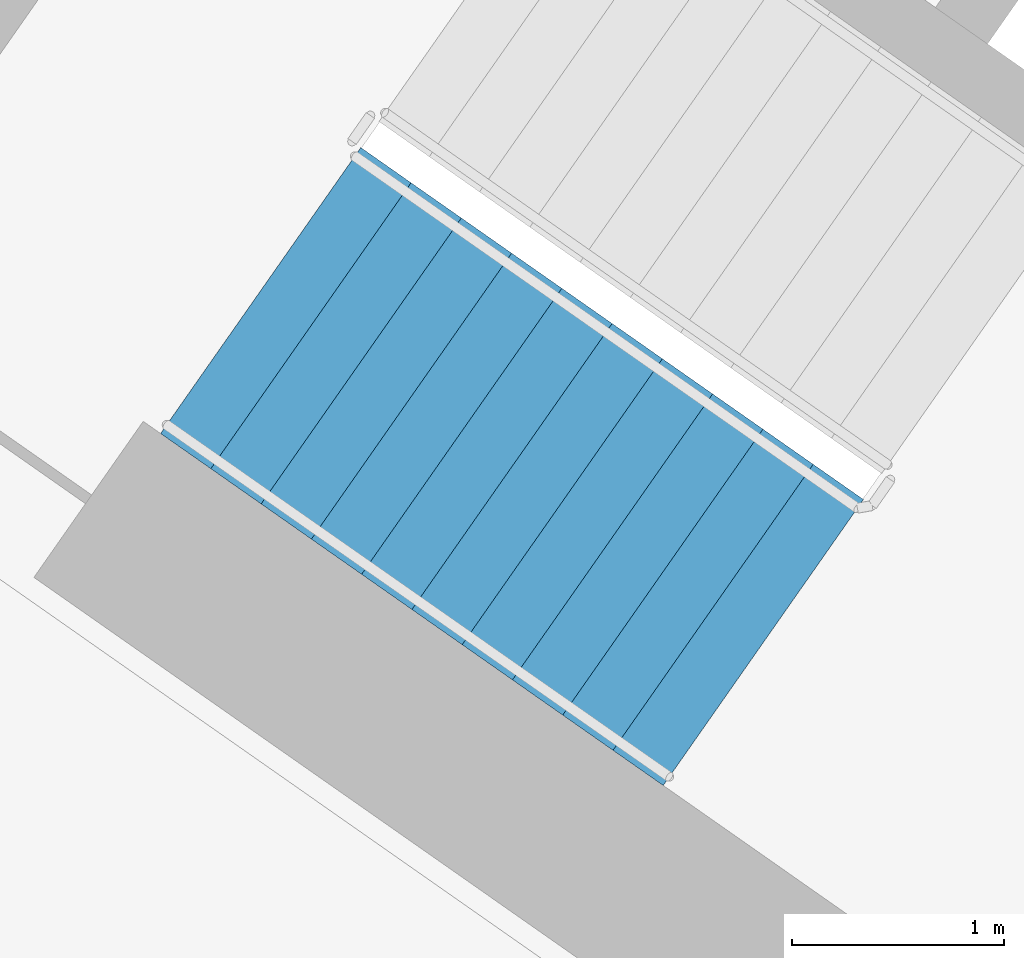
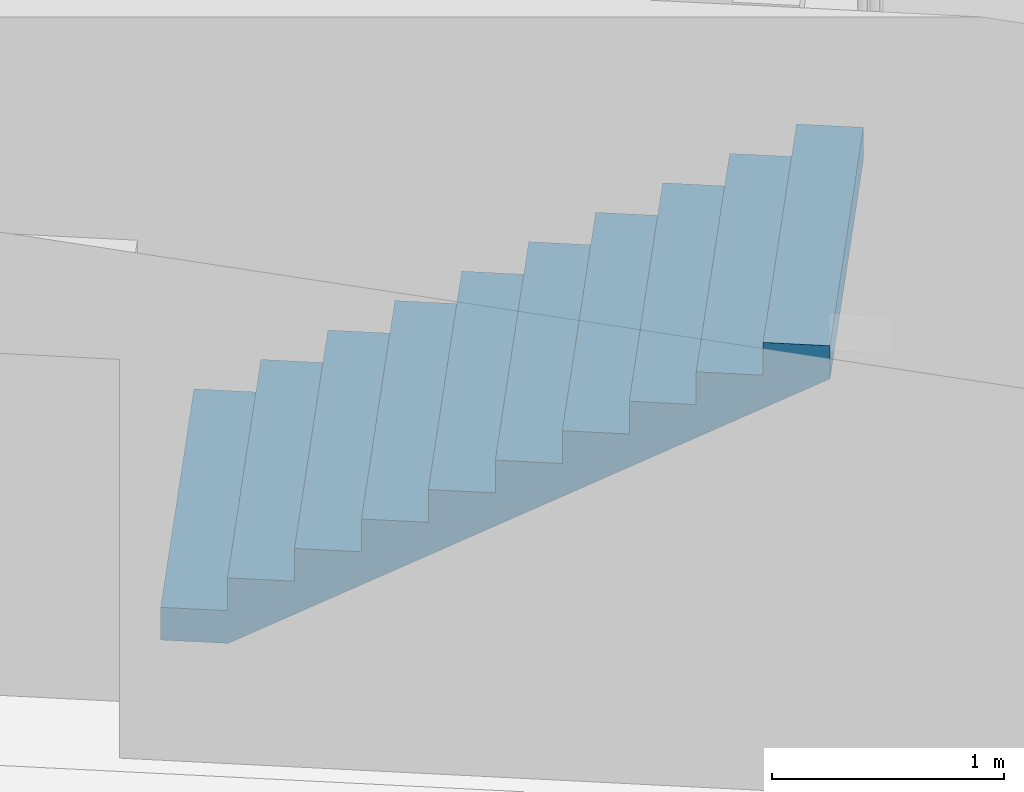
# One storey, part 10 of 29: 1 stair flight, 1 element without a shape of its own.
"""IFC4 building model written with IfcOpenShell, lengths in metres."""

from ifc_helpers import new_model, si_unit, direction, frame, origin, place, context, subcontext, project, spatial, faceted_brep, material, type_object, element, aggregate, save


model = new_model("IFC4")

# Units and contexts
model_context = context("Model", 3, precision=1e-05, world=origin(), true_north=direction((0.0, 1.0)))
body_context = subcontext(model_context, "Body", "Model", "MODEL_VIEW")
ifc_project = project(units=[si_unit("LENGTHUNIT", "METRE"), si_unit("AREAUNIT", "SQUARE_METRE"), si_unit("VOLUMEUNIT", "CUBIC_METRE"), si_unit("PLANEANGLEUNIT", "RADIAN"), si_unit("MASSUNIT", "GRAM", prefix="KILO")], contexts=[model_context])

# Site, building, storey
site_placement = place(None, origin())
site = spatial("IfcSite", under=ifc_project, at=site_placement, CompositionType="ELEMENT")
building_placement = place(site_placement, origin())
building = spatial("IfcBuilding", under=site, at=building_placement, Name="Qamariyya Broadcast Tower", CompositionType="ELEMENT")
storey_placement = place(building_placement, frame((0.0, 0.0, 113.89990234375)))
storey = spatial("IfcBuildingStorey", under=building, at=storey_placement, Name="L25", CompositionType="ELEMENT", Elevation=113.89990234375)

# Stair, stair flight
ifc_material = material(Name="Concrete C50/60", Category="concrete")
stair_type = type_object("IfcStairType", Name="Exit stair 22 risers of 173 mm", PredefinedType="HALF_TURN_STAIR", material=ifc_material)
stair_placement = place(storey_placement, origin())
stair = element("IfcStair", 1, at=stair_placement, inside=storey, type_object=stair_type, Name="L25 Stair W1", PredefinedType="HALF_TURN_STAIR")
stair_flight_type = type_object("IfcStairFlightType", Name="Exit stair flight 11 risers of 173 mm", PredefinedType="STRAIGHT", material=ifc_material)
stair_flight_placement = place(storey_placement, frame((-47.06884765625, -56.982666015625, 0.0), z_axis=(0.0, 0.0, 1.0), x_axis=(0.819152044289, -0.573576436351, 0.0)))
stair_flight = element("IfcStairFlight", 2, at=stair_flight_placement, type_object=stair_flight_type, Name="ST-W1 flight 1", NumberOfRisers=11, NumberOfTreads=10, PredefinedType="STRAIGHT", RiserHeight=0.172727273, TreadLength=0.29, context=body_context, shape_type="Brep", body=[
    faceted_brep([(0.0, 0.824951171875, 0.0), (0.0, 0.824951171875, 0.172607421875), (0.2900390625, 0.824951171875, 0.172607421875), (0.2900390625, 0.824951171875, 0.345458984375), (0.580078125, 0.824951171875, 0.345458984375), (0.580078125, 0.824951171875, 0.51806640625), (0.8701171875, 0.824951171875, 0.51806640625), (0.8701171875, 0.824951171875, 0.69091796875), (1.159912109375, 0.824951171875, 0.69091796875), (1.159912109375, 0.824951171875, 0.863525390625), (1.449951171875, 0.824951171875, 0.863525390625), (1.449951171875, 0.824951171875, 1.036376953125), (1.739990234375, 0.824951171875, 1.036376953125), (1.739990234375, 0.824951171875, 1.208984375), (2.030029296875, 0.824951171875, 1.208984375), (2.030029296875, 0.824951171875, 1.3818359375), (2.320068359375, 0.824951171875, 1.3818359375), (2.320068359375, 0.824951171875, 1.554443359375), (2.610107421875, 0.824951171875, 1.554443359375), (2.610107421875, 0.824951171875, 1.727294921875), (2.89990234375, 0.824951171875, 1.727294921875), (2.89990234375, 0.824951171875, 1.552734375), (0.29296875, 0.824951171875, 0.0), (0.29296875, -0.824951171875, 0.0), (2.89990234375, -0.824951171875, 1.552734375), (2.89990234375, -0.824951171875, 1.727294921875), (2.610107421875, -0.824951171875, 1.727294921875), (2.610107421875, -0.824951171875, 1.554443359375), (2.320068359375, -0.824951171875, 1.554443359375), (2.320068359375, -0.824951171875, 1.3818359375), (2.030029296875, -0.824951171875, 1.3818359375), (2.030029296875, -0.824951171875, 1.208984375), (1.739990234375, -0.824951171875, 1.208984375), (1.739990234375, -0.824951171875, 1.036376953125), (1.449951171875, -0.824951171875, 1.036376953125), (1.449951171875, -0.824951171875, 0.863525390625), (1.159912109375, -0.824951171875, 0.863525390625), (1.159912109375, -0.824951171875, 0.69091796875), (0.8701171875, -0.824951171875, 0.69091796875), (0.8701171875, -0.824951171875, 0.51806640625), (0.580078125, -0.824951171875, 0.51806640625), (0.580078125, -0.824951171875, 0.345458984375), (0.2900390625, -0.824951171875, 0.345458984375), (0.2900390625, -0.824951171875, 0.172607421875), (0.0, -0.824951171875, 0.172607421875), (0.0, -0.824951171875, 0.0), (0.0, 0.10009765625, 0.0), (0.0, 0.086669921875, 0.0), (0.0, 0.0732421875, 0.0), (0.0, 0.06005859375, 0.0), (0.0, 0.046630859375, 0.0), (0.0, 0.033447265625, 0.0), (0.0, 0.02001953125, 0.0), (0.0, 0.006591796875, 0.0), (0.0, -0.006591796875, 0.0), (0.0, -0.02001953125, 0.0), (0.0, -0.033447265625, 0.0), (0.0, -0.046630859375, 0.0), (0.0, -0.06005859375, 0.0), (0.0, -0.0732421875, 0.0), (0.0, -0.086669921875, 0.0), (0.0, -0.10009765625, 0.0), (0.0, -0.10009765625, 0.172607421875), (0.0, -0.086669921875, 0.172607421875), (0.0, -0.0732421875, 0.172607421875), (0.0, -0.06005859375, 0.172607421875), (0.0, -0.046630859375, 0.172607421875), (0.0, -0.033447265625, 0.172607421875), (0.0, -0.02001953125, 0.172607421875), (0.0, -0.006591796875, 0.172607421875), (0.0, 0.006591796875, 0.172607421875), (0.0, 0.02001953125, 0.172607421875), (0.0, 0.033447265625, 0.172607421875), (0.0, 0.046630859375, 0.172607421875), (0.0, 0.06005859375, 0.172607421875), (0.0, 0.0732421875, 0.172607421875), (0.0, 0.086669921875, 0.172607421875), (0.0, 0.10009765625, 0.172607421875), (0.2900390625, -0.10009765625, 0.172607421875), (0.2900390625, -0.086669921875, 0.172607421875), (0.2900390625, -0.0732421875, 0.172607421875), (0.2900390625, -0.06005859375, 0.172607421875), (0.2900390625, -0.046630859375, 0.172607421875), (0.2900390625, -0.033447265625, 0.172607421875), (0.2900390625, -0.02001953125, 0.172607421875), (0.2900390625, -0.006591796875, 0.172607421875), (0.2900390625, 0.006591796875, 0.172607421875), (0.2900390625, 0.02001953125, 0.172607421875), (0.2900390625, 0.033447265625, 0.172607421875), (0.2900390625, 0.046630859375, 0.172607421875), (0.2900390625, 0.06005859375, 0.172607421875), (0.2900390625, 0.0732421875, 0.172607421875), (0.2900390625, 0.086669921875, 0.172607421875), (0.2900390625, 0.10009765625, 0.172607421875), (0.2900390625, -0.10009765625, 0.345458984375), (0.2900390625, -0.086669921875, 0.345458984375), (0.2900390625, -0.0732421875, 0.345458984375), (0.2900390625, -0.06005859375, 0.345458984375), (0.2900390625, -0.046630859375, 0.345458984375), (0.2900390625, -0.033447265625, 0.345458984375), (0.2900390625, -0.02001953125, 0.345458984375), (0.2900390625, -0.006591796875, 0.345458984375), (0.2900390625, 0.006591796875, 0.345458984375), (0.2900390625, 0.02001953125, 0.345458984375), (0.2900390625, 0.033447265625, 0.345458984375), (0.2900390625, 0.046630859375, 0.345458984375), (0.2900390625, 0.06005859375, 0.345458984375), (0.2900390625, 0.0732421875, 0.345458984375), (0.2900390625, 0.086669921875, 0.345458984375), (0.2900390625, 0.10009765625, 0.345458984375), (0.580078125, -0.10009765625, 0.345458984375), (0.580078125, -0.086669921875, 0.345458984375), (0.580078125, -0.0732421875, 0.345458984375), (0.580078125, -0.06005859375, 0.345458984375), (0.580078125, -0.046630859375, 0.345458984375), (0.580078125, -0.033447265625, 0.345458984375), (0.580078125, -0.02001953125, 0.345458984375), (0.580078125, -0.006591796875, 0.345458984375), (0.580078125, 0.006591796875, 0.345458984375), (0.580078125, 0.02001953125, 0.345458984375), (0.580078125, 0.033447265625, 0.345458984375), (0.580078125, 0.046630859375, 0.345458984375), (0.580078125, 0.06005859375, 0.345458984375), (0.580078125, 0.0732421875, 0.345458984375), (0.580078125, 0.086669921875, 0.345458984375), (0.580078125, 0.10009765625, 0.345458984375), (0.580078125, -0.10009765625, 0.51806640625), (0.580078125, -0.086669921875, 0.51806640625), (0.580078125, -0.0732421875, 0.51806640625), (0.580078125, -0.06005859375, 0.51806640625), (0.580078125, -0.046630859375, 0.51806640625), (0.580078125, -0.033447265625, 0.51806640625), (0.580078125, -0.02001953125, 0.51806640625), (0.580078125, -0.006591796875, 0.51806640625), (0.580078125, 0.006591796875, 0.51806640625), (0.580078125, 0.02001953125, 0.51806640625), (0.580078125, 0.033447265625, 0.51806640625), (0.580078125, 0.046630859375, 0.51806640625), (0.580078125, 0.06005859375, 0.51806640625), (0.580078125, 0.0732421875, 0.51806640625), (0.580078125, 0.086669921875, 0.51806640625), (0.580078125, 0.10009765625, 0.51806640625), (0.8701171875, -0.10009765625, 0.51806640625), (0.8701171875, -0.086669921875, 0.51806640625), (0.8701171875, -0.0732421875, 0.51806640625), (0.8701171875, -0.06005859375, 0.51806640625), (0.8701171875, -0.046630859375, 0.51806640625), (0.8701171875, -0.033447265625, 0.51806640625), (0.8701171875, -0.02001953125, 0.51806640625), (0.8701171875, -0.006591796875, 0.51806640625), (0.8701171875, 0.006591796875, 0.51806640625), (0.8701171875, 0.02001953125, 0.51806640625), (0.8701171875, 0.033447265625, 0.51806640625), (0.8701171875, 0.046630859375, 0.51806640625), (0.8701171875, 0.06005859375, 0.51806640625), (0.8701171875, 0.0732421875, 0.51806640625), (0.8701171875, 0.086669921875, 0.51806640625), (0.8701171875, 0.10009765625, 0.51806640625), (0.8701171875, -0.10009765625, 0.69091796875), (0.8701171875, -0.086669921875, 0.69091796875), (0.8701171875, -0.0732421875, 0.69091796875), (0.8701171875, -0.06005859375, 0.69091796875), (0.8701171875, -0.046630859375, 0.69091796875), (0.8701171875, -0.033447265625, 0.69091796875), (0.8701171875, -0.02001953125, 0.69091796875), (0.8701171875, -0.006591796875, 0.69091796875), (0.8701171875, 0.006591796875, 0.69091796875), (0.8701171875, 0.02001953125, 0.69091796875), (0.8701171875, 0.033447265625, 0.69091796875), (0.8701171875, 0.046630859375, 0.69091796875), (0.8701171875, 0.06005859375, 0.69091796875), (0.8701171875, 0.0732421875, 0.69091796875), (0.8701171875, 0.086669921875, 0.69091796875), (0.8701171875, 0.10009765625, 0.69091796875), (1.159912109375, -0.10009765625, 0.69091796875), (1.159912109375, -0.086669921875, 0.69091796875), (1.159912109375, -0.0732421875, 0.69091796875), (1.159912109375, -0.06005859375, 0.69091796875), (1.159912109375, -0.046630859375, 0.69091796875), (1.159912109375, -0.033447265625, 0.69091796875), (1.159912109375, -0.02001953125, 0.69091796875), (1.159912109375, -0.006591796875, 0.69091796875), (1.159912109375, 0.006591796875, 0.69091796875), (1.159912109375, 0.02001953125, 0.69091796875), (1.159912109375, 0.033447265625, 0.69091796875), (1.159912109375, 0.046630859375, 0.69091796875), (1.159912109375, 0.06005859375, 0.69091796875), (1.159912109375, 0.0732421875, 0.69091796875), (1.159912109375, 0.086669921875, 0.69091796875), (1.159912109375, 0.10009765625, 0.69091796875), (1.159912109375, -0.10009765625, 0.863525390625), (1.159912109375, -0.086669921875, 0.863525390625), (1.159912109375, -0.0732421875, 0.863525390625), (1.159912109375, -0.06005859375, 0.863525390625), (1.159912109375, -0.046630859375, 0.863525390625), (1.159912109375, -0.033447265625, 0.863525390625), (1.159912109375, -0.02001953125, 0.863525390625), (1.159912109375, -0.006591796875, 0.863525390625), (1.159912109375, 0.006591796875, 0.863525390625), (1.159912109375, 0.02001953125, 0.863525390625), (1.159912109375, 0.033447265625, 0.863525390625), (1.159912109375, 0.046630859375, 0.863525390625), (1.159912109375, 0.06005859375, 0.863525390625), (1.159912109375, 0.0732421875, 0.863525390625), (1.159912109375, 0.086669921875, 0.863525390625), (1.159912109375, 0.10009765625, 0.863525390625), (1.449951171875, -0.10009765625, 0.863525390625), (1.449951171875, -0.086669921875, 0.863525390625), (1.449951171875, -0.0732421875, 0.863525390625), (1.449951171875, -0.06005859375, 0.863525390625), (1.449951171875, -0.046630859375, 0.863525390625), (1.449951171875, -0.033447265625, 0.863525390625), (1.449951171875, -0.02001953125, 0.863525390625), (1.449951171875, -0.006591796875, 0.863525390625), (1.449951171875, 0.006591796875, 0.863525390625), (1.449951171875, 0.02001953125, 0.863525390625), (1.449951171875, 0.033447265625, 0.863525390625), (1.449951171875, 0.046630859375, 0.863525390625), (1.449951171875, 0.06005859375, 0.863525390625), (1.449951171875, 0.0732421875, 0.863525390625), (1.449951171875, 0.086669921875, 0.863525390625), (1.449951171875, 0.10009765625, 0.863525390625), (1.449951171875, -0.10009765625, 1.036376953125), (1.449951171875, -0.086669921875, 1.036376953125), (1.449951171875, -0.0732421875, 1.036376953125), (1.449951171875, -0.06005859375, 1.036376953125), (1.449951171875, -0.046630859375, 1.036376953125), (1.449951171875, -0.033447265625, 1.036376953125), (1.449951171875, -0.02001953125, 1.036376953125), (1.449951171875, -0.006591796875, 1.036376953125), (1.449951171875, 0.006591796875, 1.036376953125), (1.449951171875, 0.02001953125, 1.036376953125), (1.449951171875, 0.033447265625, 1.036376953125), (1.449951171875, 0.046630859375, 1.036376953125), (1.449951171875, 0.06005859375, 1.036376953125), (1.449951171875, 0.0732421875, 1.036376953125), (1.449951171875, 0.086669921875, 1.036376953125), (1.449951171875, 0.10009765625, 1.036376953125), (1.739990234375, -0.10009765625, 1.036376953125), (1.739990234375, -0.086669921875, 1.036376953125), (1.739990234375, -0.0732421875, 1.036376953125), (1.739990234375, -0.06005859375, 1.036376953125), (1.739990234375, -0.046630859375, 1.036376953125), (1.739990234375, -0.033447265625, 1.036376953125), (1.739990234375, -0.02001953125, 1.036376953125), (1.739990234375, -0.006591796875, 1.036376953125), (1.739990234375, 0.006591796875, 1.036376953125), (1.739990234375, 0.02001953125, 1.036376953125), (1.739990234375, 0.033447265625, 1.036376953125), (1.739990234375, 0.046630859375, 1.036376953125), (1.739990234375, 0.06005859375, 1.036376953125), (1.739990234375, 0.0732421875, 1.036376953125), (1.739990234375, 0.086669921875, 1.036376953125), (1.739990234375, 0.10009765625, 1.036376953125), (1.739990234375, -0.10009765625, 1.208984375), (1.739990234375, -0.086669921875, 1.208984375), (1.739990234375, -0.0732421875, 1.208984375), (1.739990234375, -0.06005859375, 1.208984375), (1.739990234375, -0.046630859375, 1.208984375), (1.739990234375, -0.033447265625, 1.208984375), (1.739990234375, -0.02001953125, 1.208984375), (1.739990234375, -0.006591796875, 1.208984375), (1.739990234375, 0.006591796875, 1.208984375), (1.739990234375, 0.02001953125, 1.208984375), (1.739990234375, 0.033447265625, 1.208984375), (1.739990234375, 0.046630859375, 1.208984375), (1.739990234375, 0.06005859375, 1.208984375), (1.739990234375, 0.0732421875, 1.208984375), (1.739990234375, 0.086669921875, 1.208984375), (1.739990234375, 0.10009765625, 1.208984375), (2.030029296875, -0.10009765625, 1.208984375), (2.030029296875, -0.086669921875, 1.208984375), (2.030029296875, -0.0732421875, 1.208984375), (2.030029296875, -0.06005859375, 1.208984375), (2.030029296875, -0.046630859375, 1.208984375), (2.030029296875, -0.033447265625, 1.208984375), (2.030029296875, -0.02001953125, 1.208984375), (2.030029296875, -0.006591796875, 1.208984375), (2.030029296875, 0.006591796875, 1.208984375), (2.030029296875, 0.02001953125, 1.208984375), (2.030029296875, 0.033447265625, 1.208984375), (2.030029296875, 0.046630859375, 1.208984375), (2.030029296875, 0.06005859375, 1.208984375), (2.030029296875, 0.0732421875, 1.208984375), (2.030029296875, 0.086669921875, 1.208984375), (2.030029296875, 0.10009765625, 1.208984375), (2.030029296875, -0.10009765625, 1.3818359375), (2.030029296875, -0.086669921875, 1.3818359375), (2.030029296875, -0.0732421875, 1.3818359375), (2.030029296875, -0.06005859375, 1.3818359375), (2.030029296875, -0.046630859375, 1.3818359375), (2.030029296875, -0.033447265625, 1.3818359375), (2.030029296875, -0.02001953125, 1.3818359375), (2.030029296875, -0.006591796875, 1.3818359375), (2.030029296875, 0.006591796875, 1.3818359375), (2.030029296875, 0.02001953125, 1.3818359375), (2.030029296875, 0.033447265625, 1.3818359375), (2.030029296875, 0.046630859375, 1.3818359375), (2.030029296875, 0.06005859375, 1.3818359375), (2.030029296875, 0.0732421875, 1.3818359375), (2.030029296875, 0.086669921875, 1.3818359375), (2.030029296875, 0.10009765625, 1.3818359375), (2.320068359375, -0.10009765625, 1.3818359375), (2.320068359375, -0.086669921875, 1.3818359375), (2.320068359375, -0.0732421875, 1.3818359375), (2.320068359375, -0.06005859375, 1.3818359375), (2.320068359375, -0.046630859375, 1.3818359375), (2.320068359375, -0.033447265625, 1.3818359375), (2.320068359375, -0.02001953125, 1.3818359375), (2.320068359375, -0.006591796875, 1.3818359375), (2.320068359375, 0.006591796875, 1.3818359375), (2.320068359375, 0.02001953125, 1.3818359375), (2.320068359375, 0.033447265625, 1.3818359375), (2.320068359375, 0.046630859375, 1.3818359375), (2.320068359375, 0.06005859375, 1.3818359375), (2.320068359375, 0.0732421875, 1.3818359375), (2.320068359375, 0.086669921875, 1.3818359375), (2.320068359375, 0.10009765625, 1.3818359375), (2.320068359375, -0.10009765625, 1.554443359375), (2.320068359375, -0.086669921875, 1.554443359375), (2.320068359375, -0.0732421875, 1.554443359375), (2.320068359375, -0.06005859375, 1.554443359375), (2.320068359375, -0.046630859375, 1.554443359375), (2.320068359375, -0.033447265625, 1.554443359375), (2.320068359375, -0.02001953125, 1.554443359375), (2.320068359375, -0.006591796875, 1.554443359375), (2.320068359375, 0.006591796875, 1.554443359375), (2.320068359375, 0.02001953125, 1.554443359375), (2.320068359375, 0.033447265625, 1.554443359375), (2.320068359375, 0.046630859375, 1.554443359375), (2.320068359375, 0.06005859375, 1.554443359375), (2.320068359375, 0.0732421875, 1.554443359375), (2.320068359375, 0.086669921875, 1.554443359375), (2.320068359375, 0.10009765625, 1.554443359375), (2.610107421875, -0.10009765625, 1.554443359375), (2.610107421875, -0.086669921875, 1.554443359375), (2.610107421875, -0.0732421875, 1.554443359375), (2.610107421875, -0.06005859375, 1.554443359375), (2.610107421875, -0.046630859375, 1.554443359375), (2.610107421875, -0.033447265625, 1.554443359375), (2.610107421875, -0.02001953125, 1.554443359375), (2.610107421875, -0.006591796875, 1.554443359375), (2.610107421875, 0.006591796875, 1.554443359375), (2.610107421875, 0.02001953125, 1.554443359375), (2.610107421875, 0.033447265625, 1.554443359375), (2.610107421875, 0.046630859375, 1.554443359375), (2.610107421875, 0.06005859375, 1.554443359375), (2.610107421875, 0.0732421875, 1.554443359375), (2.610107421875, 0.086669921875, 1.554443359375), (2.610107421875, 0.10009765625, 1.554443359375), (2.610107421875, -0.10009765625, 1.727294921875), (2.610107421875, -0.086669921875, 1.727294921875), (2.610107421875, -0.0732421875, 1.727294921875), (2.610107421875, -0.06005859375, 1.727294921875), (2.610107421875, -0.046630859375, 1.727294921875), (2.610107421875, -0.033447265625, 1.727294921875), (2.610107421875, -0.02001953125, 1.727294921875), (2.610107421875, -0.006591796875, 1.727294921875), (2.610107421875, 0.006591796875, 1.727294921875), (2.610107421875, 0.02001953125, 1.727294921875), (2.610107421875, 0.033447265625, 1.727294921875), (2.610107421875, 0.046630859375, 1.727294921875), (2.610107421875, 0.06005859375, 1.727294921875), (2.610107421875, 0.0732421875, 1.727294921875), (2.610107421875, 0.086669921875, 1.727294921875), (2.610107421875, 0.10009765625, 1.727294921875), (2.89990234375, -0.10009765625, 1.727294921875), (2.89990234375, -0.086669921875, 1.727294921875), (2.89990234375, -0.0732421875, 1.727294921875), (2.89990234375, -0.06005859375, 1.727294921875), (2.89990234375, -0.046630859375, 1.727294921875), (2.89990234375, -0.033447265625, 1.727294921875), (2.89990234375, -0.02001953125, 1.727294921875), (2.89990234375, -0.006591796875, 1.727294921875), (2.89990234375, 0.006591796875, 1.727294921875), (2.89990234375, 0.02001953125, 1.727294921875), (2.89990234375, 0.033447265625, 1.727294921875), (2.89990234375, 0.046630859375, 1.727294921875), (2.89990234375, 0.06005859375, 1.727294921875), (2.89990234375, 0.0732421875, 1.727294921875), (2.89990234375, 0.086669921875, 1.727294921875), (2.89990234375, 0.10009765625, 1.727294921875), (2.89990234375, -0.10009765625, 1.552734375), (2.89990234375, -0.086669921875, 1.552734375), (2.89990234375, -0.0732421875, 1.552734375), (2.89990234375, -0.06005859375, 1.552734375), (2.89990234375, -0.046630859375, 1.552734375), (2.89990234375, -0.033447265625, 1.552734375), (2.89990234375, -0.02001953125, 1.552734375), (2.89990234375, -0.006591796875, 1.552734375), (2.89990234375, 0.006591796875, 1.552734375), (2.89990234375, 0.02001953125, 1.552734375), (2.89990234375, 0.033447265625, 1.552734375), (2.89990234375, 0.046630859375, 1.552734375), (2.89990234375, 0.06005859375, 1.552734375), (2.89990234375, 0.0732421875, 1.552734375), (2.89990234375, 0.086669921875, 1.552734375), (2.89990234375, 0.10009765625, 1.552734375), (0.29296875, -0.10009765625, 0.0), (0.29296875, -0.086669921875, 0.0), (0.29296875, -0.0732421875, 0.0), (0.29296875, -0.06005859375, 0.0), (0.29296875, -0.046630859375, 0.0), (0.29296875, -0.033447265625, 0.0), (0.29296875, -0.02001953125, 0.0), (0.29296875, -0.006591796875, 0.0), (0.29296875, 0.006591796875, 0.0), (0.29296875, 0.02001953125, 0.0), (0.29296875, 0.033447265625, 0.0), (0.29296875, 0.046630859375, 0.0), (0.29296875, 0.06005859375, 0.0), (0.29296875, 0.0732421875, 0.0), (0.29296875, 0.086669921875, 0.0), (0.29296875, 0.10009765625, 0.0)], [[[0, 1, 2, 3, 4, 5, 6, 7, 8, 9, 10, 11, 12, 13, 14, 15, 16, 17, 18, 19, 20, 21, 22]], [[23, 24, 25, 26, 27, 28, 29, 30, 31, 32, 33, 34, 35, 36, 37, 38, 39, 40, 41, 42, 43, 44, 45]], [[0, 46, 47, 48, 49, 50, 51, 52, 53, 54, 55, 56, 57, 58, 59, 60, 61, 45, 44, 62, 63, 64, 65, 66, 67, 68, 69, 70, 71, 72, 73, 74, 75, 76, 77, 1]], [[1, 77, 76, 75, 74, 73, 72, 71, 70, 69, 68, 67, 66, 65, 64, 63, 62, 44, 43, 78, 79, 80, 81, 82, 83, 84, 85, 86, 87, 88, 89, 90, 91, 92, 93, 2]], [[2, 93, 92, 91, 90, 89, 88, 87, 86, 85, 84, 83, 82, 81, 80, 79, 78, 43, 42, 94, 95, 96, 97, 98, 99, 100, 101, 102, 103, 104, 105, 106, 107, 108, 109, 3]], [[3, 109, 108, 107, 106, 105, 104, 103, 102, 101, 100, 99, 98, 97, 96, 95, 94, 42, 41, 110, 111, 112, 113, 114, 115, 116, 117, 118, 119, 120, 121, 122, 123, 124, 125, 4]], [[4, 125, 124, 123, 122, 121, 120, 119, 118, 117, 116, 115, 114, 113, 112, 111, 110, 41, 40, 126, 127, 128, 129, 130, 131, 132, 133, 134, 135, 136, 137, 138, 139, 140, 141, 5]], [[5, 141, 140, 139, 138, 137, 136, 135, 134, 133, 132, 131, 130, 129, 128, 127, 126, 40, 39, 142, 143, 144, 145, 146, 147, 148, 149, 150, 151, 152, 153, 154, 155, 156, 157, 6]], [[6, 157, 156, 155, 154, 153, 152, 151, 150, 149, 148, 147, 146, 145, 144, 143, 142, 39, 38, 158, 159, 160, 161, 162, 163, 164, 165, 166, 167, 168, 169, 170, 171, 172, 173, 7]], [[7, 173, 172, 171, 170, 169, 168, 167, 166, 165, 164, 163, 162, 161, 160, 159, 158, 38, 37, 174, 175, 176, 177, 178, 179, 180, 181, 182, 183, 184, 185, 186, 187, 188, 189, 8]], [[8, 189, 188, 187, 186, 185, 184, 183, 182, 181, 180, 179, 178, 177, 176, 175, 174, 37, 36, 190, 191, 192, 193, 194, 195, 196, 197, 198, 199, 200, 201, 202, 203, 204, 205, 9]], [[9, 205, 204, 203, 202, 201, 200, 199, 198, 197, 196, 195, 194, 193, 192, 191, 190, 36, 35, 206, 207, 208, 209, 210, 211, 212, 213, 214, 215, 216, 217, 218, 219, 220, 221, 10]], [[10, 221, 220, 219, 218, 217, 216, 215, 214, 213, 212, 211, 210, 209, 208, 207, 206, 35, 34, 222, 223, 224, 225, 226, 227, 228, 229, 230, 231, 232, 233, 234, 235, 236, 237, 11]], [[11, 237, 236, 235, 234, 233, 232, 231, 230, 229, 228, 227, 226, 225, 224, 223, 222, 34, 33, 238, 239, 240, 241, 242, 243, 244, 245, 246, 247, 248, 249, 250, 251, 252, 253, 12]], [[12, 253, 252, 251, 250, 249, 248, 247, 246, 245, 244, 243, 242, 241, 240, 239, 238, 33, 32, 254, 255, 256, 257, 258, 259, 260, 261, 262, 263, 264, 265, 266, 267, 268, 269, 13]], [[13, 269, 268, 267, 266, 265, 264, 263, 262, 261, 260, 259, 258, 257, 256, 255, 254, 32, 31, 270, 271, 272, 273, 274, 275, 276, 277, 278, 279, 280, 281, 282, 283, 284, 285, 14]], [[14, 285, 284, 283, 282, 281, 280, 279, 278, 277, 276, 275, 274, 273, 272, 271, 270, 31, 30, 286, 287, 288, 289, 290, 291, 292, 293, 294, 295, 296, 297, 298, 299, 300, 301, 15]], [[15, 301, 300, 299, 298, 297, 296, 295, 294, 293, 292, 291, 290, 289, 288, 287, 286, 30, 29, 302, 303, 304, 305, 306, 307, 308, 309, 310, 311, 312, 313, 314, 315, 316, 317, 16]], [[16, 317, 316, 315, 314, 313, 312, 311, 310, 309, 308, 307, 306, 305, 304, 303, 302, 29, 28, 318, 319, 320, 321, 322, 323, 324, 325, 326, 327, 328, 329, 330, 331, 332, 333, 17]], [[17, 333, 332, 331, 330, 329, 328, 327, 326, 325, 324, 323, 322, 321, 320, 319, 318, 28, 27, 334, 335, 336, 337, 338, 339, 340, 341, 342, 343, 344, 345, 346, 347, 348, 349, 18]], [[18, 349, 348, 347, 346, 345, 344, 343, 342, 341, 340, 339, 338, 337, 336, 335, 334, 27, 26, 350, 351, 352, 353, 354, 355, 356, 357, 358, 359, 360, 361, 362, 363, 364, 365, 19]], [[19, 365, 364, 363, 362, 361, 360, 359, 358, 357, 356, 355, 354, 353, 352, 351, 350, 26, 25, 366, 367, 368, 369, 370, 371, 372, 373, 374, 375, 376, 377, 378, 379, 380, 381, 20]], [[20, 381, 380, 379, 378, 377, 376, 375, 374, 373, 372, 371, 370, 369, 368, 367, 366, 25, 24, 382, 383, 384, 385, 386, 387, 388, 389, 390, 391, 392, 393, 394, 395, 396, 397, 21]], [[21, 397, 396, 395, 394, 393, 392, 391, 390, 389, 388, 387, 386, 385, 384, 383, 382, 24, 23, 398, 399, 400, 401, 402, 403, 404, 405, 406, 407, 408, 409, 410, 411, 412, 413, 22]], [[22, 413, 412, 411, 410, 409, 408, 407, 406, 405, 404, 403, 402, 401, 400, 399, 398, 23, 45, 61, 60, 59, 58, 57, 56, 55, 54, 53, 52, 51, 50, 49, 48, 47, 46, 0]]]),
])
aggregate(stair, [stair_flight])

save(model, "model.ifc")
